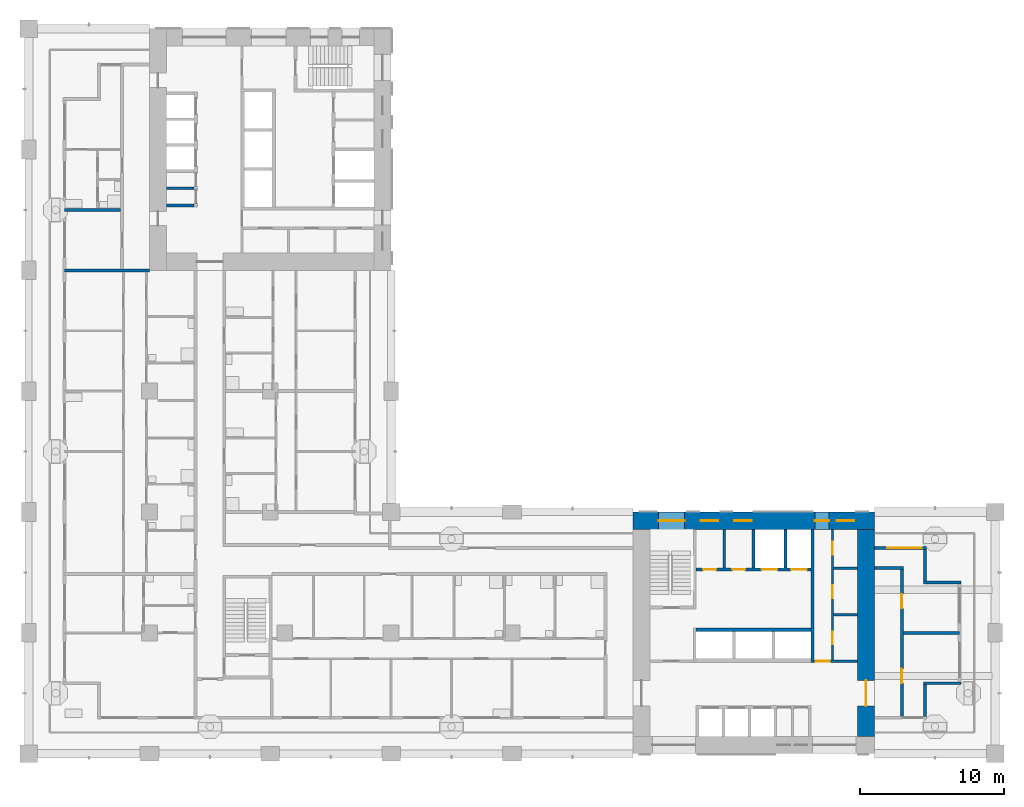
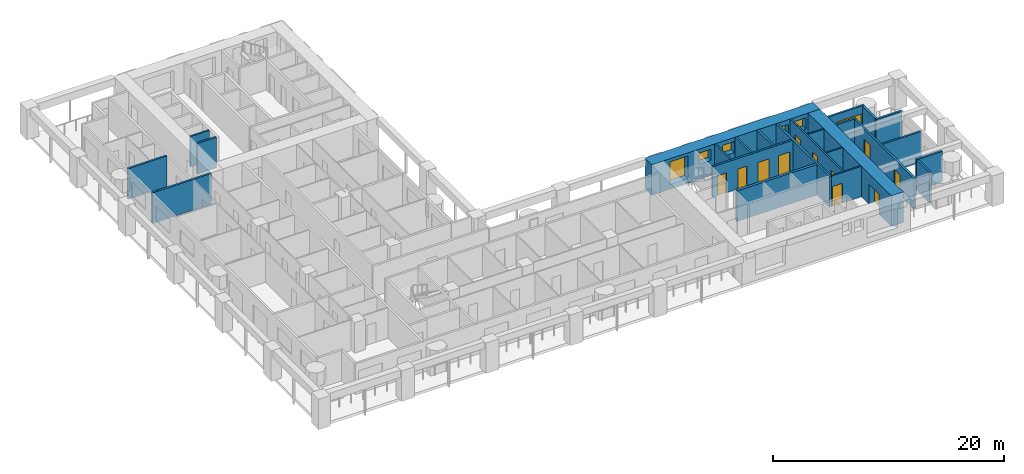
# One storey, part 6 of 19: 24 walls, 11 doors, 6 windows, 17 openings.
"""IFC4 building model written with IfcOpenShell, lengths in metres."""

from ifc_helpers import new_model, si_unit, direction, frame, frame_2d, origin, place, context, subcontext, project, spatial, rectangle, extrude, material, layer, layer_set, type_object, element, fill, save


model = new_model("IFC4")

# Units and contexts
model_context = context("Model", 3, precision=1e-05, world=origin(), true_north=direction((0.0, 1.0)))
body_context = subcontext(model_context, "Body", "Model", "MODEL_VIEW")
ifc_project = project(units=[si_unit("LENGTHUNIT", "METRE"), si_unit("AREAUNIT", "SQUARE_METRE"), si_unit("VOLUMEUNIT", "CUBIC_METRE"), si_unit("PLANEANGLEUNIT", "RADIAN"), si_unit("MASSUNIT", "GRAM", prefix="KILO")], contexts=[model_context])

# Site, building, storey
site_placement = place(None, origin())
site = spatial("IfcSite", under=ifc_project, at=site_placement, CompositionType="ELEMENT")
building_placement = place(site_placement, origin())
building = spatial("IfcBuilding", under=site, at=building_placement, Name="Vermilion Gate Residences", CompositionType="ELEMENT")
storey_placement = place(building_placement, frame((0.0, 0.0, 123.199951171875)))
storey = spatial("IfcBuildingStorey", under=building, at=storey_placement, Name="L31", CompositionType="ELEMENT", Elevation=123.199951171875)

# Wall
ifc_material_1 = material(Name="Masonry blockwork", Category="masonry")
ifc_layer_1 = layer(ifc_material_1, 0.14990234375)
ifc_layer_set_1 = layer_set([ifc_layer_1], Name="BLOCKWORK PARTITION 150 EI 120")
wall_type_1 = type_object("IfcWallType", Name="BLOCKWORK PARTITION 150 EI 120", PredefinedType="PARTITIONING", material=ifc_layer_set_1)
wall_1_placement = place(storey_placement, frame((48.35009765625, 21.300048828125, 0.0), z_axis=(0.0, 0.0, 1.0), x_axis=(0.0, 1.0, 0.0)))
element("IfcWall", 1, at=wall_1_placement, inside=storey, type_object=wall_type_1, Name="Core room partition A31-NR-P0", PredefinedType="PARTITIONING", context=body_context, shape_type="SweptSolid", body=[
    extrude(rectangle(XDim=2.699951171875, YDim=0.14990234375, at=frame_2d((1.35009765625, 0.0))), origin(), (0.0, 0.0, 1.0), 3.219970703125),
])

# Wall, opening, door
wall_2_placement = place(storey_placement, frame((54.60009765625, 14.824951171875, 0.0), z_axis=(0.0, 0.0, 1.0), x_axis=(1.0, 0.0, 0.0)))
wall_2 = element("IfcWall", 2, at=wall_2_placement, inside=storey, type_object=wall_type_1, Name="Core room partition A31-ES-S", PredefinedType="PARTITIONING", context=body_context, shape_type="SweptSolid", body=[
    extrude(rectangle(XDim=3.0, YDim=0.14990234375, at=frame_2d((1.5, 0.0))), origin(), (0.0, 0.0, 1.0), 3.219970703125),
])
opening_1_placement = place(wall_2_placement, frame((0.10009765625, 0.0, 0.0)))
opening_1 = element("IfcOpeningElement", 3, at=opening_1_placement, cuts=wall_2, Name="Opening DK31014", PredefinedType="OPENING", context=body_context, shape_type="SweptSolid", body=[
    extrude(rectangle(XDim=1.0, YDim=2.10009765625, at=frame_2d((0.5, 1.050048828125))), frame((0.0, 0.0849609375, 0.0), z_axis=(0.0, -1.0, 0.0), x_axis=(1.0, 0.0, 0.0)), (0.0, 0.0, 1.0), 0.169921875),
])
ifc_material_2 = material(Name="Steel", Category="steel")
door_type_1 = type_object("IfcDoorType", Name="FIRE DOOR FD60 1000 X 2100", OperationType="SINGLE_SWING_LEFT", PredefinedType="DOOR", material=ifc_material_2)
door_1_placement = place(opening_1_placement, frame((1.0, 0.0, 0.0), z_axis=(0.0, 0.0, 1.0), x_axis=(-1.0, 0.0, 0.0)))
door_1 = element("IfcDoor", 4, at=door_1_placement, inside=storey, type_object=door_type_1, Name="Service corridor door A31", OperationType="SINGLE_SWING_LEFT", OverallHeight=2.10009765625, OverallWidth=1.0, PredefinedType="DOOR", context=body_context, shape_type="SweptSolid", body=[
    extrude(rectangle(XDim=1.0, YDim=2.10009765625, at=frame_2d((0.5, 1.050048828125))), frame((0.0, 0.02490234375, 0.0), z_axis=(0.0, -1.0, 0.0), x_axis=(1.0, 0.0, 0.0)), (0.0, 0.0, 1.0), 0.050048828125),
])
fill(opening_1, door_1)

# Walls
for number, where, z_axis, x_axis, name in (
    (5, (55.949951171875, 18.054931640625, 0.0), (0.0, 0.0, 1.0), (1.0, 0.0, 0.0), "Core room partition A31-ES-P0"),
    (6, (55.949951171875, 21.284912109375, 0.0), (0.0, 0.0, 1.0), (1.0, 0.0, 0.0), "Core room partition A31-ES-P1"),
):
    element("IfcWall", number, at=place(storey_placement, frame(where, z_axis=z_axis, x_axis=x_axis)), inside=storey, type_object=wall_type_1, Name=name, PredefinedType="PARTITIONING", context=body_context, shape_type="SweptSolid", body=[
        extrude(rectangle(XDim=1.650146484375, YDim=0.14990234375, at=frame_2d((0.8251953125, 0.0))), origin(), (0.0, 0.0, 1.0), 3.219970703125),
    ])

# Wall, openings, doors
wall_3_placement = place(storey_placement, frame((55.875, 14.89990234375, 0.0), z_axis=(0.0, 0.0, 1.0), x_axis=(0.0, 1.0, 0.0)))
wall_3 = element("IfcWall", 7, at=wall_3_placement, inside=storey, type_object=wall_type_1, Name="Core room partition A31-ES-W", PredefinedType="PARTITIONING", context=body_context, shape_type="SweptSolid", body=[
    extrude(rectangle(XDim=9.10009765625, YDim=0.14990234375, at=frame_2d((4.550048828125, 0.0))), origin(), (0.0, 0.0, 1.0), 3.219970703125),
])
opening_2_placement = place(wall_3_placement, frame((1.090087890625, 0.0, 0.0)))
opening_2 = element("IfcOpeningElement", 8, at=opening_2_placement, cuts=wall_3, Name="Opening DK31015", PredefinedType="OPENING", context=body_context, shape_type="SweptSolid", body=[
    extrude(rectangle(XDim=0.89990234375, YDim=2.10009765625, at=frame_2d((0.449951171875, 1.050048828125))), frame((0.0, 0.0849609375, 0.0), z_axis=(0.0, -1.0, 0.0), x_axis=(1.0, 0.0, 0.0)), (0.0, 0.0, 1.0), 0.169921875),
])
opening_3_placement = place(wall_3_placement, frame((4.320068359375, 0.0, 0.0)))
opening_3 = element("IfcOpeningElement", 9, at=opening_3_placement, cuts=wall_3, Name="Opening DK31016", PredefinedType="OPENING", context=body_context, shape_type="SweptSolid", body=[
    extrude(rectangle(XDim=0.89990234375, YDim=2.10009765625, at=frame_2d((0.449951171875, 1.050048828125))), frame((0.0, 0.0849609375, 0.0), z_axis=(0.0, -1.0, 0.0), x_axis=(1.0, 0.0, 0.0)), (0.0, 0.0, 1.0), 0.169921875),
])
opening_4_placement = place(wall_3_placement, frame((7.330078125, 0.0, 0.0)))
opening_4 = element("IfcOpeningElement", 10, at=opening_4_placement, cuts=wall_3, Name="Opening DK31017", PredefinedType="OPENING", context=body_context, shape_type="SweptSolid", body=[
    extrude(rectangle(XDim=0.89990234375, YDim=2.10009765625, at=frame_2d((0.449951171875, 1.050048828125))), frame((0.0, 0.0849609375, 0.0), z_axis=(0.0, -1.0, 0.0), x_axis=(1.0, 0.0, 0.0)), (0.0, 0.0, 1.0), 0.169921875),
])
ifc_material_3 = material(Name="Steel", Category="steel")
door_type_2 = type_object("IfcDoorType", Name="SERVICE ROOM DOOR FD60 900 X 2100", OperationType="SINGLE_SWING_LEFT", PredefinedType="DOOR", material=ifc_material_3)
door_2_placement = place(opening_2_placement, frame((0.89990234375, 0.0, 0.0), z_axis=(0.0, 0.0, 1.0), x_axis=(-1.0, 0.0, 0.0)))
door_2 = element("IfcDoor", 11, at=door_2_placement, inside=storey, type_object=door_type_2, Name="Parcel room A31", OperationType="SINGLE_SWING_LEFT", OverallHeight=2.10009765625, OverallWidth=0.89990234375, PredefinedType="DOOR", context=body_context, shape_type="SweptSolid", body=[
    extrude(rectangle(XDim=0.89990234375, YDim=2.10009765625, at=frame_2d((0.449951171875, 1.050048828125))), frame((0.0, 0.02490234375, 0.0), z_axis=(0.0, -1.0, 0.0), x_axis=(1.0, 0.0, 0.0)), (0.0, 0.0, 1.0), 0.050048828125),
])
fill(opening_2, door_2)
door_3_placement = place(opening_3_placement, frame((0.89990234375, 0.0, 0.0), z_axis=(0.0, 0.0, 1.0), x_axis=(-1.0, 0.0, 0.0)))
door_3 = element("IfcDoor", 12, at=door_3_placement, inside=storey, type_object=door_type_2, Name="Cleaner's store A31", OperationType="SINGLE_SWING_RIGHT", OverallHeight=2.10009765625, OverallWidth=0.89990234375, PredefinedType="DOOR", context=body_context, shape_type="SweptSolid", body=[
    extrude(rectangle(XDim=0.89990234375, YDim=2.10009765625, at=frame_2d((0.449951171875, 1.050048828125))), frame((0.0, 0.02490234375, 0.0), z_axis=(0.0, -1.0, 0.0), x_axis=(1.0, 0.0, 0.0)), (0.0, 0.0, 1.0), 0.050048828125),
])
fill(opening_3, door_3)
door_4_placement = place(opening_4_placement, frame((0.89990234375, 0.0, 0.0), z_axis=(0.0, 0.0, 1.0), x_axis=(-1.0, 0.0, 0.0)))
door_4 = element("IfcDoor", 13, at=door_4_placement, inside=storey, type_object=door_type_2, Name="Electrical room A31", OperationType="SINGLE_SWING_LEFT", OverallHeight=2.10009765625, OverallWidth=0.89990234375, PredefinedType="DOOR", context=body_context, shape_type="SweptSolid", body=[
    extrude(rectangle(XDim=0.89990234375, YDim=2.10009765625, at=frame_2d((0.449951171875, 1.050048828125))), frame((0.0, 0.02490234375, 0.0), z_axis=(0.0, -1.0, 0.0), x_axis=(1.0, 0.0, 0.0)), (0.0, 0.0, 1.0), 0.050048828125),
])
fill(opening_4, door_4)

# Walls
wall_4_placement = place(storey_placement, frame((9.60009765625, 47.699951171875, 0.0), z_axis=(0.0, 0.0, 1.0), x_axis=(1.0, 0.0, 0.0)))
element("IfcWall", 14, at=wall_4_placement, inside=storey, type_object=wall_type_1, Name="Core room partition B31-SR-P0", PredefinedType="PARTITIONING", context=body_context, shape_type="SweptSolid", body=[
    extrude(rectangle(XDim=1.89990234375, YDim=0.14990234375, at=frame_2d((0.949951171875, 0.0))), origin(), (0.0, 0.0, 1.0), 3.219970703125),
])
ifc_material_4 = material(Name="Insulated steel stud wall with terracotta rainscreen", Category="masonry")
ifc_layer_2 = layer(ifc_material_4, 0.199951171875)
ifc_layer_set_2 = layer_set([ifc_layer_2], Name="EXTERNAL WALL 200 TERRACOTTA RAINSCREEN")
wall_type_2 = type_object("IfcWallType", Name="EXTERNAL WALL 200 TERRACOTTA RAINSCREEN", PredefinedType="SOLIDWALL", material=ifc_layer_set_2)
wall_5_placement = place(storey_placement, frame((62.300048828125, 11.0, 0.0), z_axis=(0.0, 0.0, 1.0), x_axis=(0.0, 1.0, 0.0)))
element("IfcWall", 15, at=wall_5_placement, inside=storey, type_object=wall_type_2, Name="External wall", PredefinedType="SOLIDWALL", context=body_context, shape_type="SweptSolid", body=[
    extrude(rectangle(XDim=2.199951171875, YDim=0.199951171875, at=frame_2d((1.10009765625, 0.0))), origin(), (0.0, 0.0, 1.0), 3.219970703125),
])
for number, where, z_axis, x_axis, name in (
    (16, (62.199951171875, 13.300048828125, 0.0), (0.0, 0.0, 1.0), (1.0, 0.0, 0.0), "External wall"),
    (17, (64.800048828125, 20.300048828125, 0.0), (0.0, 0.0, 1.0), (-1.0, 0.0, 0.0), "External wall"),
):
    element("IfcWall", number, at=place(storey_placement, frame(where, z_axis=z_axis, x_axis=x_axis)), inside=storey, type_object=wall_type_2, Name=name, PredefinedType="SOLIDWALL", context=body_context, shape_type="SweptSolid", body=[
        extrude(rectangle(XDim=2.60009765625, YDim=0.199951171875, at=frame_2d((1.300048828125, 0.0))), origin(), (0.0, 0.0, 1.0), 3.219970703125),
    ])
wall_6_placement = place(storey_placement, frame((62.300048828125, 20.39990234375, 0.0), z_axis=(0.0, 0.0, 1.0), x_axis=(0.0, 1.0, 0.0)))
element("IfcWall", 18, at=wall_6_placement, inside=storey, type_object=wall_type_2, Name="External wall", PredefinedType="SOLIDWALL", context=body_context, shape_type="SweptSolid", body=[
    extrude(rectangle(XDim=2.2001953125, YDim=0.199951171875, at=frame_2d((1.10009765625, 0.0))), origin(), (0.0, 0.0, 1.0), 3.219970703125),
])

# Wall, opening, window
wall_7_placement = place(storey_placement, frame((62.39990234375, 22.699951171875, 0.0), z_axis=(0.0, 0.0, 1.0), x_axis=(-1.0, 0.0, 0.0)))
wall_7 = element("IfcWall", 19, at=wall_7_placement, inside=storey, type_object=wall_type_2, Name="External wall", PredefinedType="SOLIDWALL", context=body_context, shape_type="SweptSolid", body=[
    extrude(rectangle(XDim=3.599853515625, YDim=0.199951171875, at=frame_2d((1.7998046875, 0.0))), origin(), (0.0, 0.0, 1.0), 3.219970703125),
])
opening_5_placement = place(wall_7_placement, frame((0.300048828125, 0.0, 0.89990234375)))
opening_5 = element("IfcOpeningElement", 20, at=opening_5_placement, cuts=wall_7, Name="Opening WE31023", PredefinedType="OPENING", context=body_context, shape_type="SweptSolid", body=[
    extrude(rectangle(XDim=2.39990234375, YDim=1.5, at=frame_2d((1.199951171875, 0.75))), frame((0.0, 0.10986328125, 0.0), z_axis=(0.0, -1.0, 0.0), x_axis=(1.0, 0.0, 0.0)), (0.0, 0.0, 1.0), 0.219970703125),
])
ifc_material_5 = material(Name="Aluminium and clear glass", Category="aluminium")
window_type_1 = type_object("IfcWindowType", Name="WINDOW 2400 X 1500", PartitioningType="SINGLE_PANEL", PredefinedType="WINDOW", material=ifc_material_5)
window_1_placement = place(opening_5_placement, origin())
window_1 = element("IfcWindow", 21, at=window_1_placement, inside=storey, type_object=window_type_1, Name="Window", OverallHeight=1.5, OverallWidth=2.39990234375, PartitioningType="SINGLE_PANEL", PredefinedType="WINDOW", context=body_context, shape_type="SweptSolid", body=[
    extrude(rectangle(XDim=2.39990234375, YDim=1.5, at=frame_2d((1.199951171875, 0.75))), frame((0.0, 0.030029296875, 0.0), z_axis=(0.0, -1.0, 0.0), x_axis=(1.0, 0.0, 0.0)), (0.0, 0.0, 1.0), 0.06005859375),
])
fill(opening_5, window_1)

# Walls
ifc_material_6 = material(Name="Fire-rated plasterboard on steel studs", Category="steel")
ifc_layer_3 = layer(ifc_material_6, 0.199951171875)
ifc_layer_set_3 = layer_set([ifc_layer_3], Name="PARTY WALL 200 EI 120")
wall_type_3 = type_object("IfcWallType", Name="PARTY WALL 200 EI 120", PredefinedType="PARTITIONING", material=ifc_layer_set_3)
wall_8_placement = place(storey_placement, frame((60.800048828125, 16.800048828125, 0.0), z_axis=(0.0, 0.0, 1.0), x_axis=(1.0, 0.0, 0.0)))
element("IfcWall", 22, at=wall_8_placement, inside=storey, type_object=wall_type_3, Name="Party and corridor wall", PredefinedType="PARTITIONING", context=body_context, shape_type="SweptSolid", body=[
    extrude(rectangle(XDim=3.89990234375, YDim=0.199951171875, at=frame_2d((1.949951171875, 0.0))), origin(), (0.0, 0.0, 1.0), 3.219970703125),
])
wall_9_placement = place(storey_placement, frame((58.800048828125, 21.300048828125, 0.0), z_axis=(0.0, 0.0, 1.0), x_axis=(1.0, 0.0, 0.0)))
element("IfcWall", 23, at=wall_9_placement, inside=storey, type_object=wall_type_3, Name="Party and corridor wall", PredefinedType="PARTITIONING", context=body_context, shape_type="SweptSolid", body=[
    extrude(rectangle(XDim=2.0, YDim=0.199951171875, at=frame_2d((1.0, 0.0))), origin(), (0.0, 0.0, 1.0), 3.219970703125),
])
wall_10_placement = place(storey_placement, frame((2.5, 42.0, 0.0), z_axis=(0.0, 0.0, 1.0), x_axis=(1.0, 0.0, 0.0)))
element("IfcWall", 24, at=wall_10_placement, inside=storey, type_object=wall_type_3, Name="Party and corridor wall", PredefinedType="PARTITIONING", context=body_context, shape_type="SweptSolid", body=[
    extrude(rectangle(XDim=5.89990234375, YDim=0.199951171875, at=frame_2d((2.949951171875, 0.0))), origin(), (0.0, 0.0, 1.0), 3.219970703125),
])
wall_11_placement = place(storey_placement, frame((2.5, 46.199951171875, 0.0), z_axis=(0.0, 0.0, 1.0), x_axis=(1.0, 0.0, 0.0)))
element("IfcWall", 25, at=wall_11_placement, inside=storey, type_object=wall_type_3, Name="Party and corridor wall", PredefinedType="PARTITIONING", context=body_context, shape_type="SweptSolid", body=[
    extrude(rectangle(XDim=3.89990234375, YDim=0.199951171875, at=frame_2d((1.949951171875, 0.0))), origin(), (0.0, 0.0, 1.0), 3.219970703125),
])

# Wall, openings, doors
wall_12_placement = place(storey_placement, frame((60.699951171875, 10.89990234375, 0.0), z_axis=(0.0, 0.0, 1.0), x_axis=(0.0, 1.0, 0.0)))
wall_12 = element("IfcWall", 26, at=wall_12_placement, inside=storey, type_object=wall_type_3, Name="Party and corridor wall", PredefinedType="PARTITIONING", context=body_context, shape_type="SweptSolid", body=[
    extrude(rectangle(XDim=10.300048828125, YDim=0.199951171875, at=frame_2d((5.14990234375, 0.0))), origin(), (0.0, 0.0, 1.0), 3.219970703125),
])
opening_6_placement = place(wall_12_placement, frame((2.39990234375, 0.0, 0.0)))
opening_6 = element("IfcOpeningElement", 27, at=opening_6_placement, cuts=wall_12, Name="Opening DA30051", PredefinedType="OPENING", context=body_context, shape_type="SweptSolid", body=[
    extrude(rectangle(XDim=1.0, YDim=2.10009765625, at=frame_2d((0.5, 1.050048828125))), frame((0.0, 0.10986328125, 0.0), z_axis=(0.0, -1.0, 0.0), x_axis=(1.0, 0.0, 0.0)), (0.0, 0.0, 1.0), 0.219970703125),
])
opening_7_placement = place(wall_12_placement, frame((7.60009765625, 0.0, 0.0)))
opening_7 = element("IfcOpeningElement", 28, at=opening_7_placement, cuts=wall_12, Name="Opening DA30052", PredefinedType="OPENING", context=body_context, shape_type="SweptSolid", body=[
    extrude(rectangle(XDim=1.0, YDim=2.10009765625, at=frame_2d((0.5, 1.050048828125))), frame((0.0, 0.10986328125, 0.0), z_axis=(0.0, -1.0, 0.0), x_axis=(1.0, 0.0, 0.0)), (0.0, 0.0, 1.0), 0.219970703125),
])
ifc_material_7 = material(Name="Steel", Category="steel")
door_type_3 = type_object("IfcDoorType", Name="ENTRANCE DOOR 1000 X 2100 FD30", OperationType="SINGLE_SWING_LEFT", PredefinedType="DOOR", material=ifc_material_7)
door_5_placement = place(opening_6_placement, frame((1.0, 0.0, 0.0), z_axis=(0.0, 0.0, 1.0), x_axis=(-1.0, 0.0, 0.0)))
door_5 = element("IfcDoor", 29, at=door_5_placement, inside=storey, type_object=door_type_3, Name="Entrance door", OperationType="SINGLE_SWING_RIGHT", OverallHeight=2.10009765625, OverallWidth=1.0, PredefinedType="DOOR", context=body_context, shape_type="SweptSolid", body=[
    extrude(rectangle(XDim=1.0, YDim=2.10009765625, at=frame_2d((0.5, 1.050048828125))), frame((0.0, 0.02490234375, 0.0), z_axis=(0.0, -1.0, 0.0), x_axis=(1.0, 0.0, 0.0)), (0.0, 0.0, 1.0), 0.050048828125),
])
fill(opening_6, door_5)
door_6_placement = place(opening_7_placement, frame((1.0, 0.0, 0.0), z_axis=(0.0, 0.0, 1.0), x_axis=(-1.0, 0.0, 0.0)))
door_6 = element("IfcDoor", 30, at=door_6_placement, inside=storey, type_object=door_type_3, Name="Entrance door", OperationType="SINGLE_SWING_RIGHT", OverallHeight=2.10009765625, OverallWidth=1.0, PredefinedType="DOOR", context=body_context, shape_type="SweptSolid", body=[
    extrude(rectangle(XDim=1.0, YDim=2.10009765625, at=frame_2d((0.5, 1.050048828125))), frame((0.0, 0.02490234375, 0.0), z_axis=(0.0, -1.0, 0.0), x_axis=(1.0, 0.0, 0.0)), (0.0, 0.0, 1.0), 0.050048828125),
])
fill(opening_7, door_6)

# Walls
ifc_material_8 = material(Name="Concrete C60", Category="concrete")
ifc_layer_4 = layer(ifc_material_8, 0.199951171875)
ifc_layer_set_4 = layer_set([ifc_layer_4], Name="RC CORE INTERNAL WALL 200 C60")
wall_type_4 = type_object("IfcWallType", Name="RC CORE INTERNAL WALL 200 C60", PredefinedType="SHEAR", material=ifc_layer_set_4)
for number, where, z_axis, x_axis, name in (
    (31, (50.39990234375, 21.300048828125, 0.0), (0.0, 0.0, 1.0), (0.0, 1.0, 0.0), "Core internal wall A31-FF-D0"),
    (32, (52.60009765625, 21.300048828125, 0.0), (0.0, 0.0, 1.0), (0.0, 1.0, 0.0), "Core internal wall A31-FF-D1"),
):
    element("IfcWall", number, at=place(storey_placement, frame(where, z_axis=z_axis, x_axis=x_axis)), inside=storey, type_object=wall_type_4, Name=name, PredefinedType="SHEAR", context=body_context, shape_type="SweptSolid", body=[
        extrude(rectangle(XDim=2.699951171875, YDim=0.199951171875, at=frame_2d((1.35009765625, 0.0))), origin(), (0.0, 0.0, 1.0), 3.219970703125),
    ])

# Wall, openings, doors
wall_13_placement = place(storey_placement, frame((46.39990234375, 21.199951171875, 0.0), z_axis=(0.0, 0.0, 1.0), x_axis=(1.0, 0.0, 0.0)))
wall_13 = element("IfcWall", 33, at=wall_13_placement, inside=storey, type_object=wall_type_4, Name="Core internal wall A31-FF-F", PredefinedType="SHEAR", context=body_context, shape_type="SweptSolid", body=[
    extrude(rectangle(XDim=8.0, YDim=0.199951171875, at=frame_2d((4.0, 0.0))), origin(), (0.0, 0.0, 1.0), 3.219970703125),
])
opening_8_placement = place(wall_13_placement, frame((0.487548828125, 0.0, 0.0)))
opening_8 = element("IfcOpeningElement", 34, at=opening_8_placement, cuts=wall_13, Name="Opening DK31008", PredefinedType="OPENING", context=body_context, shape_type="SweptSolid", body=[
    extrude(rectangle(XDim=0.89990234375, YDim=2.10009765625, at=frame_2d((0.449951171875, 1.050048828125))), frame((0.0, 0.10986328125, 0.0), z_axis=(0.0, -1.0, 0.0), x_axis=(1.0, 0.0, 0.0)), (0.0, 0.0, 1.0), 0.219970703125),
])
opening_9_placement = place(wall_13_placement, frame((2.512451171875, 0.0, 0.0)))
opening_9 = element("IfcOpeningElement", 35, at=opening_9_placement, cuts=wall_13, Name="Opening DK31009", PredefinedType="OPENING", context=body_context, shape_type="SweptSolid", body=[
    extrude(rectangle(XDim=0.89990234375, YDim=2.10009765625, at=frame_2d((0.449951171875, 1.050048828125))), frame((0.0, 0.10986328125, 0.0), z_axis=(0.0, -1.0, 0.0), x_axis=(1.0, 0.0, 0.0)), (0.0, 0.0, 1.0), 0.219970703125),
])
opening_10_placement = place(wall_13_placement, frame((4.550048828125, 0.0, 0.0)))
opening_10 = element("IfcOpeningElement", 36, at=opening_10_placement, cuts=wall_13, Name="Opening LD", PredefinedType="OPENING", context=body_context, shape_type="SweptSolid", body=[
    extrude(rectangle(XDim=1.10009765625, YDim=2.10009765625, at=frame_2d((0.550048828125, 1.050048828125))), frame((0.0, 0.10986328125, 0.0), z_axis=(0.0, -1.0, 0.0), x_axis=(1.0, 0.0, 0.0)), (0.0, 0.0, 1.0), 0.219970703125),
])
opening_11_placement = place(wall_13_placement, frame((6.60009765625, 0.0, 0.0)))
opening_11 = element("IfcOpeningElement", 37, at=opening_11_placement, cuts=wall_13, Name="Opening LD", PredefinedType="OPENING", context=body_context, shape_type="SweptSolid", body=[
    extrude(rectangle(XDim=1.10009765625, YDim=2.10009765625, at=frame_2d((0.550048828125, 1.050048828125))), frame((0.0, 0.10986328125, 0.0), z_axis=(0.0, -1.0, 0.0), x_axis=(1.0, 0.0, 0.0)), (0.0, 0.0, 1.0), 0.219970703125),
])
ifc_material_9 = material(Name="Stainless steel", Category="steel")
door_type_4 = type_object("IfcDoorType", Name="LIFT LANDING DOOR E60 1100 X 2100", OperationType="DOUBLE_DOOR_SLIDING", PredefinedType="DOOR", material=ifc_material_9)
door_7_placement = place(opening_10_placement, origin())
door_7 = element("IfcDoor", 38, at=door_7_placement, inside=storey, type_object=door_type_4, Name="Lift landing door LFA1", OperationType="DOUBLE_DOOR_SLIDING", OverallHeight=2.10009765625, OverallWidth=1.10009765625, PredefinedType="DOOR", context=body_context, shape_type="SweptSolid", body=[
    extrude(rectangle(XDim=1.10009765625, YDim=2.10009765625, at=frame_2d((0.550048828125, 1.050048828125))), frame((0.0, 0.02490234375, 0.0), z_axis=(0.0, -1.0, 0.0), x_axis=(1.0, 0.0, 0.0)), (0.0, 0.0, 1.0), 0.050048828125),
])
fill(opening_10, door_7)
door_8_placement = place(opening_11_placement, origin())
door_8 = element("IfcDoor", 39, at=door_8_placement, inside=storey, type_object=door_type_4, Name="Lift landing door LCA1", OperationType="DOUBLE_DOOR_SLIDING", OverallHeight=2.10009765625, OverallWidth=1.10009765625, PredefinedType="DOOR", context=body_context, shape_type="SweptSolid", body=[
    extrude(rectangle(XDim=1.10009765625, YDim=2.10009765625, at=frame_2d((0.550048828125, 1.050048828125))), frame((0.0, 0.02490234375, 0.0), z_axis=(0.0, -1.0, 0.0), x_axis=(1.0, 0.0, 0.0)), (0.0, 0.0, 1.0), 0.050048828125),
])
fill(opening_11, door_8)
door_9_placement = place(opening_8_placement, origin())
door_9 = element("IfcDoor", 40, at=door_9_placement, inside=storey, type_object=door_type_2, Name="Communications riser A31", OperationType="SINGLE_SWING_LEFT", OverallHeight=2.10009765625, OverallWidth=0.89990234375, PredefinedType="DOOR", context=body_context, shape_type="SweptSolid", body=[
    extrude(rectangle(XDim=0.89990234375, YDim=2.10009765625, at=frame_2d((0.449951171875, 1.050048828125))), frame((0.0, 0.02490234375, 0.0), z_axis=(0.0, -1.0, 0.0), x_axis=(1.0, 0.0, 0.0)), (0.0, 0.0, 1.0), 0.050048828125),
])
fill(opening_8, door_9)
door_10_placement = place(opening_9_placement, origin())
door_10 = element("IfcDoor", 41, at=door_10_placement, inside=storey, type_object=door_type_2, Name="Refuse room A31", OperationType="SINGLE_SWING_LEFT", OverallHeight=2.10009765625, OverallWidth=0.89990234375, PredefinedType="DOOR", context=body_context, shape_type="SweptSolid", body=[
    extrude(rectangle(XDim=0.89990234375, YDim=2.10009765625, at=frame_2d((0.449951171875, 1.050048828125))), frame((0.0, 0.02490234375, 0.0), z_axis=(0.0, -1.0, 0.0), x_axis=(1.0, 0.0, 0.0)), (0.0, 0.0, 1.0), 0.050048828125),
])
fill(opening_9, door_10)

# Walls
wall_14_placement = place(storey_placement, frame((54.5, 14.75, 0.0), z_axis=(0.0, 0.0, 1.0), x_axis=(0.0, 1.0, 0.0)))
element("IfcWall", 42, at=wall_14_placement, inside=storey, type_object=wall_type_4, Name="Core internal wall A31-EDIV", PredefinedType="SHEAR", context=body_context, shape_type="SweptSolid", body=[
    extrude(rectangle(XDim=9.25, YDim=0.199951171875, at=frame_2d((4.625, 0.0))), origin(), (0.0, 0.0, 1.0), 3.219970703125),
])
wall_15_placement = place(storey_placement, frame((9.60009765625, 46.5, 0.0), z_axis=(0.0, 0.0, 1.0), x_axis=(1.0, 0.0, 0.0)))
element("IfcWall", 43, at=wall_15_placement, inside=storey, type_object=wall_type_4, Name="Core internal wall B31-LR-DE", PredefinedType="SHEAR", context=body_context, shape_type="SweptSolid", body=[
    extrude(rectangle(XDim=1.89990234375, YDim=0.199951171875, at=frame_2d((0.949951171875, 0.0))), origin(), (0.0, 0.0, 1.0), 3.219970703125),
])

# Wall, opening, door
ifc_material_10 = material(Name="Concrete C70", Category="concrete")
ifc_layer_5 = layer(ifc_material_10, 1.199951171875)
ifc_layer_set_5 = layer_set([ifc_layer_5], Name="RC CORE WALL 1200 C70")
wall_type_5 = type_object("IfcWallType", Name="RC CORE WALL 1200 C70", PredefinedType="SHEAR", material=ifc_layer_set_5)
wall_16_placement = place(storey_placement, frame((58.199951171875, 9.60009765625, 0.0), z_axis=(0.0, 0.0, 1.0), x_axis=(0.0, 1.0, 0.0)))
wall_16 = element("IfcWall", 44, at=wall_16_placement, inside=storey, type_object=wall_type_5, Name="Core wall A31-OUT-BK", PredefinedType="SHEAR", context=body_context, shape_type="SweptSolid", body=[
    extrude(rectangle(XDim=14.39990234375, YDim=1.199951171875, at=frame_2d((7.199951171875, 0.0))), origin(), (0.0, 0.0, 1.0), 3.219970703125),
])
opening_12_placement = place(wall_16_placement, frame((2.10009765625, 0.0, 0.0)))
opening_12 = element("IfcOpeningElement", 45, at=opening_12_placement, cuts=wall_16, Name="Opening DK31002", PredefinedType="OPENING", context=body_context, shape_type="SweptSolid", body=[
    extrude(rectangle(XDim=1.800048828125, YDim=2.10009765625, at=frame_2d((0.89990234375, 1.050048828125))), frame((0.0, 0.60986328125, 0.0), z_axis=(0.0, -1.0, 0.0), x_axis=(1.0, 0.0, 0.0)), (0.0, 0.0, 1.0), 1.219970703125),
])
ifc_material_11 = material(Name="Steel", Category="steel")
door_type_5 = type_object("IfcDoorType", Name="CORE LOBBY DOOR FD60 1800 X 2100", OperationType="DOUBLE_DOOR_SINGLE_SWING", PredefinedType="DOOR", material=ifc_material_11)
door_11_placement = place(opening_12_placement, origin())
door_11 = element("IfcDoor", 46, at=door_11_placement, inside=storey, type_object=door_type_5, Name="Core lobby door A31", OperationType="DOUBLE_DOOR_SINGLE_SWING", OverallHeight=2.10009765625, OverallWidth=1.800048828125, PredefinedType="DOOR", context=body_context, shape_type="SweptSolid", body=[
    extrude(rectangle(XDim=1.800048828125, YDim=2.10009765625, at=frame_2d((0.89990234375, 1.050048828125))), frame((0.0, 0.02490234375, 0.0), z_axis=(0.0, -1.0, 0.0), x_axis=(1.0, 0.0, 0.0)), (0.0, 0.0, 1.0), 0.050048828125),
])
fill(opening_12, door_11)

# Wall, openings, windows
ifc_material_12 = material(Name="Concrete C70 red-oxide pigmented", Category="concrete")
ifc_layer_6 = layer(ifc_material_12, 1.199951171875)
ifc_layer_set_6 = layer_set([ifc_layer_6], Name="RC CORE WALL 1200 C70 RED OXIDE")
wall_type_6 = type_object("IfcWallType", Name="RC CORE WALL 1200 C70 RED OXIDE", PredefinedType="SHEAR", material=ifc_layer_set_6)
wall_17_placement = place(storey_placement, frame((42.0, 24.60009765625, 0.0), z_axis=(0.0, 0.0, 1.0), x_axis=(1.0, 0.0, 0.0)))
wall_17 = element("IfcWall", 47, at=wall_17_placement, inside=storey, type_object=wall_type_6, Name="Core wall A31-OUT-B1", PredefinedType="SHEAR", context=body_context, shape_type="SweptSolid", body=[
    extrude(rectangle(XDim=16.800048828125, YDim=1.199951171875, at=frame_2d((8.39990234375, 0.0))), origin(), (0.0, 0.0, 1.0), 3.219970703125),
])
opening_13_placement = place(wall_17_placement, frame((1.800048828125, 0.0, 0.5)))
opening_13 = element("IfcOpeningElement", 48, at=opening_13_placement, cuts=wall_17, Name="Opening WKA3105", PredefinedType="OPENING", context=body_context, shape_type="SweptSolid", body=[
    extrude(rectangle(XDim=1.800048828125, YDim=2.39990234375, at=frame_2d((0.89990234375, 1.199951171875))), frame((0.0, 0.60986328125, 0.0), z_axis=(0.0, -1.0, 0.0), x_axis=(1.0, 0.0, 0.0)), (0.0, 0.0, 1.0), 1.219970703125),
])
opening_14_placement = place(wall_17_placement, frame((4.737548828125, 0.0, 1.60009765625)))
opening_14 = element("IfcOpeningElement", 49, at=opening_14_placement, cuts=wall_17, Name="Opening WKA3106", PredefinedType="OPENING", context=body_context, shape_type="SweptSolid", body=[
    extrude(rectangle(XDim=1.199951171875, YDim=1.199951171875, at=frame_2d((0.60009765625, 0.60009765625))), frame((0.0, 0.60986328125, 0.0), z_axis=(0.0, -1.0, 0.0), x_axis=(1.0, 0.0, 0.0)), (0.0, 0.0, 1.0), 1.219970703125),
])
opening_15_placement = place(wall_17_placement, frame((7.050048828125, 0.0, 1.60009765625)))
opening_15 = element("IfcOpeningElement", 50, at=opening_15_placement, cuts=wall_17, Name="Opening WKA3107", PredefinedType="OPENING", context=body_context, shape_type="SweptSolid", body=[
    extrude(rectangle(XDim=1.199951171875, YDim=1.199951171875, at=frame_2d((0.60009765625, 0.60009765625))), frame((0.0, 0.60986328125, 0.0), z_axis=(0.0, -1.0, 0.0), x_axis=(1.0, 0.0, 0.0)), (0.0, 0.0, 1.0), 1.219970703125),
])
opening_16_placement = place(wall_17_placement, frame((12.64990234375, 0.0, 0.60009765625)))
opening_16 = element("IfcOpeningElement", 51, at=opening_16_placement, cuts=wall_17, Name="Opening WKA3108", PredefinedType="OPENING", context=body_context, shape_type="SweptSolid", body=[
    extrude(rectangle(XDim=1.0, YDim=2.10009765625, at=frame_2d((0.5, 1.050048828125))), frame((0.0, 0.60986328125, 0.0), z_axis=(0.0, -1.0, 0.0), x_axis=(1.0, 0.0, 0.0)), (0.0, 0.0, 1.0), 1.219970703125),
])
opening_17_placement = place(wall_17_placement, frame((14.175048828125, 0.0, 1.60009765625)))
opening_17 = element("IfcOpeningElement", 52, at=opening_17_placement, cuts=wall_17, Name="Opening WKA3109", PredefinedType="OPENING", context=body_context, shape_type="SweptSolid", body=[
    extrude(rectangle(XDim=1.199951171875, YDim=1.199951171875, at=frame_2d((0.60009765625, 0.60009765625))), frame((0.0, 0.60986328125, 0.0), z_axis=(0.0, -1.0, 0.0), x_axis=(1.0, 0.0, 0.0)), (0.0, 0.0, 1.0), 1.219970703125),
])
ifc_material_13 = material(Name="Aluminium and clear glass", Category="aluminium")
window_type_2 = type_object("IfcWindowType", Name="CORE CORRIDOR WINDOW 1000 X 2100", PartitioningType="SINGLE_PANEL", PredefinedType="WINDOW", material=ifc_material_13)
window_2_placement = place(opening_16_placement, origin())
window_2 = element("IfcWindow", 53, at=window_2_placement, inside=storey, type_object=window_type_2, Name="Core corridor window", OverallHeight=2.10009765625, OverallWidth=1.0, PartitioningType="SINGLE_PANEL", PredefinedType="WINDOW", context=body_context, shape_type="SweptSolid", body=[
    extrude(rectangle(XDim=1.0, YDim=2.10009765625, at=frame_2d((0.5, 1.050048828125))), frame((0.0, 0.030029296875, 0.0), z_axis=(0.0, -1.0, 0.0), x_axis=(1.0, 0.0, 0.0)), (0.0, 0.0, 1.0), 0.06005859375),
])
fill(opening_16, window_2)
ifc_material_14 = material(Name="Aluminium frame with louvre blades", Category="aluminium")
window_type_3 = type_object("IfcWindowType", Name="CORE LOUVRE 1200 X 1200", PartitioningType="SINGLE_PANEL", PredefinedType="WINDOW", material=ifc_material_14)
window_3_placement = place(opening_14_placement, origin())
window_3 = element("IfcWindow", 54, at=window_3_placement, inside=storey, type_object=window_type_3, Name="Core louvre", OverallHeight=1.199951171875, OverallWidth=1.199951171875, PartitioningType="SINGLE_PANEL", PredefinedType="WINDOW", context=body_context, shape_type="SweptSolid", body=[
    extrude(rectangle(XDim=1.199951171875, YDim=1.199951171875, at=frame_2d((0.60009765625, 0.60009765625))), frame((0.0, 0.030029296875, 0.0), z_axis=(0.0, -1.0, 0.0), x_axis=(1.0, 0.0, 0.0)), (0.0, 0.0, 1.0), 0.06005859375),
])
fill(opening_14, window_3)
window_4_placement = place(opening_15_placement, origin())
window_4 = element("IfcWindow", 55, at=window_4_placement, inside=storey, type_object=window_type_3, Name="Core louvre", OverallHeight=1.199951171875, OverallWidth=1.199951171875, PartitioningType="SINGLE_PANEL", PredefinedType="WINDOW", context=body_context, shape_type="SweptSolid", body=[
    extrude(rectangle(XDim=1.199951171875, YDim=1.199951171875, at=frame_2d((0.60009765625, 0.60009765625))), frame((0.0, 0.030029296875, 0.0), z_axis=(0.0, -1.0, 0.0), x_axis=(1.0, 0.0, 0.0)), (0.0, 0.0, 1.0), 0.06005859375),
])
fill(opening_15, window_4)
window_5_placement = place(opening_17_placement, origin())
window_5 = element("IfcWindow", 56, at=window_5_placement, inside=storey, type_object=window_type_3, Name="Core louvre", OverallHeight=1.199951171875, OverallWidth=1.199951171875, PartitioningType="SINGLE_PANEL", PredefinedType="WINDOW", context=body_context, shape_type="SweptSolid", body=[
    extrude(rectangle(XDim=1.199951171875, YDim=1.199951171875, at=frame_2d((0.60009765625, 0.60009765625))), frame((0.0, 0.030029296875, 0.0), z_axis=(0.0, -1.0, 0.0), x_axis=(1.0, 0.0, 0.0)), (0.0, 0.0, 1.0), 0.06005859375),
])
fill(opening_17, window_5)
ifc_material_15 = material(Name="Aluminium and clear glass", Category="aluminium")
window_type_4 = type_object("IfcWindowType", Name="CORE STAIR WINDOW 1800 X 2400", PartitioningType="SINGLE_PANEL", PredefinedType="WINDOW", material=ifc_material_15)
window_6_placement = place(opening_13_placement, origin())
window_6 = element("IfcWindow", 57, at=window_6_placement, inside=storey, type_object=window_type_4, Name="Core stair window", OverallHeight=2.39990234375, OverallWidth=1.800048828125, PartitioningType="SINGLE_PANEL", PredefinedType="WINDOW", context=body_context, shape_type="SweptSolid", body=[
    extrude(rectangle(XDim=1.800048828125, YDim=2.39990234375, at=frame_2d((0.89990234375, 1.199951171875))), frame((0.0, 0.030029296875, 0.0), z_axis=(0.0, -1.0, 0.0), x_axis=(1.0, 0.0, 0.0)), (0.0, 0.0, 1.0), 0.06005859375),
])
fill(opening_13, window_6)

# Wall
ifc_material_16 = material(Name="Concrete C60", Category="concrete")
ifc_layer_7 = layer(ifc_material_16, 0.25)
ifc_layer_set_7 = layer_set([ifc_layer_7], Name="RC LIFT SHAFT WALL 250 C60")
wall_type_7 = type_object("IfcWallType", Name="RC LIFT SHAFT WALL 250 C60", PredefinedType="SHEAR", material=ifc_layer_set_7)
wall_18_placement = place(storey_placement, frame((46.39990234375, 17.02490234375, 0.0), z_axis=(0.0, 0.0, 1.0), x_axis=(1.0, 0.0, 0.0)))
element("IfcWall", 58, at=wall_18_placement, inside=storey, type_object=wall_type_7, Name="Lift shaft wall A31-HR-B", PredefinedType="SHEAR", context=body_context, shape_type="SweptSolid", body=[
    extrude(rectangle(XDim=8.0, YDim=0.25, at=frame_2d((4.0, 0.0))), origin(), (0.0, 0.0, 1.0), 3.219970703125),
])

save(model, "model.ifc")
